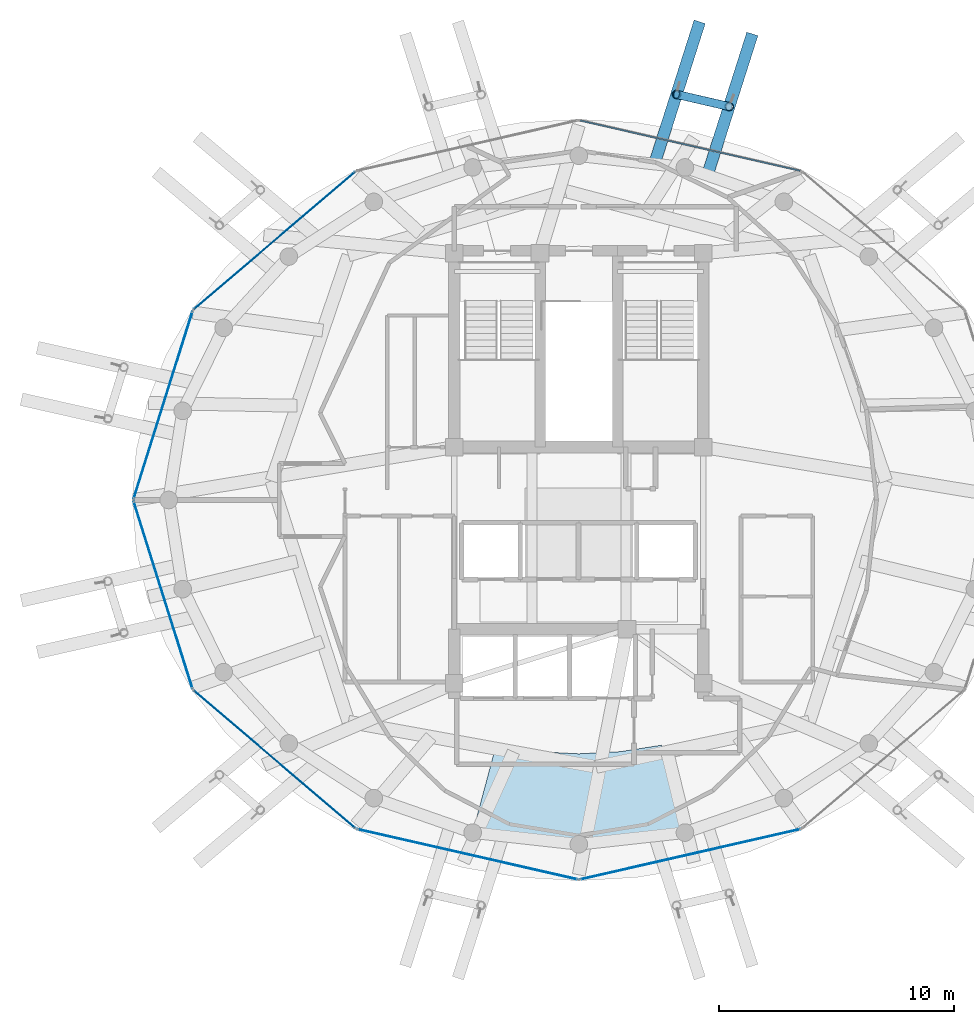
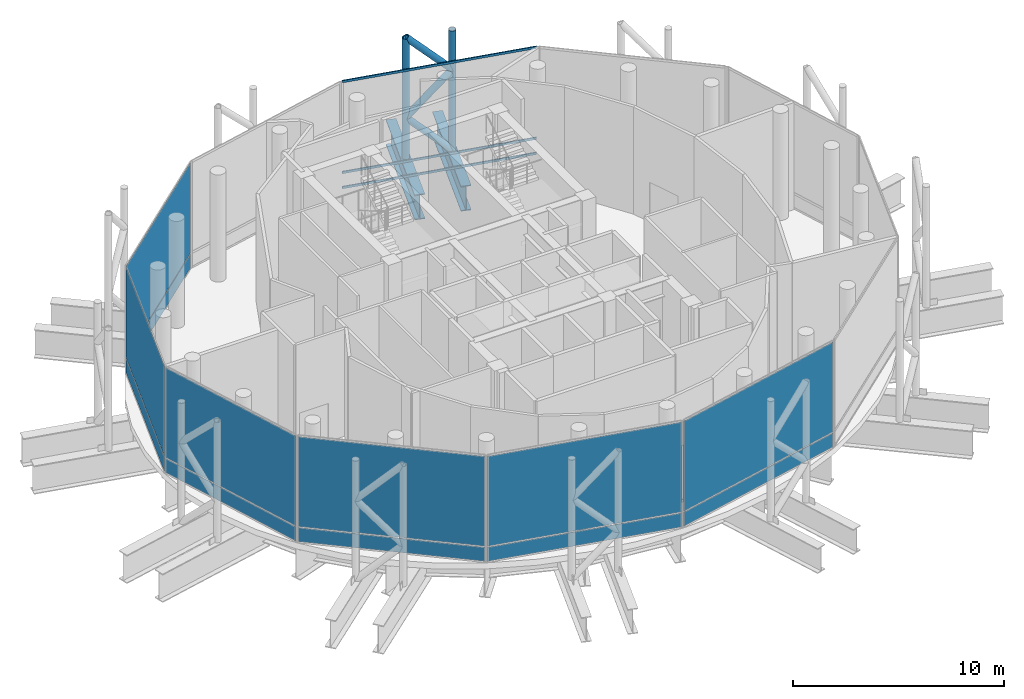
# One storey, part 19 of 26: 12 plates, 8 members, 2 beams, 1 slab, 7 elements without a shape of their own.
"""IFC4 building model written with IfcOpenShell, lengths in metres."""

from ifc_helpers import new_model, si_unit, direction, frame, origin, origin_2d, place, context, subcontext, project, spatial, polyline, rectangle, hollow_rectangle, hollow_circle, i_section, outline, extrude, material, layer, layer_set, material_profile, profile_set, type_object, element, aggregate, save


model = new_model("IFC4")

# Units and contexts
model_context = context("Model", 3, precision=1e-05, world=origin(), true_north=direction((0.0, 1.0)))
body_context = subcontext(model_context, "Body", "Model", "MODEL_VIEW")
ifc_project = project(units=[si_unit("LENGTHUNIT", "METRE"), si_unit("AREAUNIT", "SQUARE_METRE"), si_unit("VOLUMEUNIT", "CUBIC_METRE"), si_unit("PLANEANGLEUNIT", "RADIAN"), si_unit("MASSUNIT", "GRAM", prefix="KILO")], contexts=[model_context])

# Site, building, storey
site_placement = place(None, origin())
site = spatial("IfcSite", under=ifc_project, at=site_placement, CompositionType="ELEMENT")
building_placement = place(site_placement, origin())
building = spatial("IfcBuilding", under=site, at=building_placement, Name="Nuhasar Tower", CompositionType="ELEMENT")
storey_placement = place(building_placement, frame((0.0, 0.0, 306.800048828125)))
storey = spatial("IfcBuildingStorey", under=building, at=storey_placement, Name="L76", CompositionType="ELEMENT", Elevation=306.800048828125)

# Beams
ifc_material_1 = material(Name="Steel S460", Category="steel")
ifc_material_profile_1 = material_profile(ifc_material_1, i_section(OverallWidth=0.5, OverallDepth=1.449951171875, WebThickness=0.028076171875, FlangeThickness=0.050048828125, at=origin_2d()), Name="PG1450X500")
ifc_profile_set_1 = profile_set([ifc_material_profile_1], Name="Steel S460")
beam_type = type_object("IfcBeamType", Name="BM-XFER-PG1450", PredefinedType="USERDEFINED", material=ifc_profile_set_1)
beam_1_placement = place(storey_placement, frame((44.469970703125, 40.618896484375, -1.074951171875), z_axis=(0.303270715851, 0.952904440596, 0.0), x_axis=(-0.952904440596, 0.303270715851, 0.0)))
element("IfcBeam", 1, at=beam_1_placement, inside=storey, type_object=beam_type, Name="L76 Exoskeleton Step Transfer Girder 05", ObjectType="GIRDER", PredefinedType="USERDEFINED", context=body_context, shape_type="SweptSolid", body=[
    extrude(i_section(OverallWidth=0.5, OverallDepth=1.449951171875, WebThickness=0.028076171875, FlangeThickness=0.050048828125, at=origin_2d()), origin(), (0.0, 0.0, 1.0), 6.311279296875),
])
beam_2_placement = place(storey_placement, frame((42.215087890625, 41.094970703125, -1.074951171875), z_axis=(0.30344948656, 0.952847526683, 0.0), x_axis=(-0.952847526683, 0.30344948656, 0.0)))
element("IfcBeam", 2, at=beam_2_placement, inside=storey, type_object=beam_type, Name="L76 Exoskeleton Step Transfer Girder 06", ObjectType="GIRDER", PredefinedType="USERDEFINED", context=body_context, shape_type="SweptSolid", body=[
    extrude(i_section(OverallWidth=0.5, OverallDepth=1.449951171875, WebThickness=0.028076171875, FlangeThickness=0.050048828125, at=origin_2d()), origin(), (0.0, 0.0, 1.0), 6.353515625),
])

# Curtain wall, members
ifc_material_2 = material(Name="Aluminium 6063-T6", Category="aluminium")
ifc_layer_1 = layer(ifc_material_2, 0.239990234375)
ifc_layer_set_1 = layer_set([ifc_layer_1], Name="Aluminium 6063-T6")
curtain_wall_type = type_object("IfcCurtainWallType", Name="CW-SKY-LBY", PredefinedType="NOTDEFINED", material=ifc_layer_set_1)
curtain_wall_1_placement = place(storey_placement, origin())
curtain_wall_1 = element("IfcCurtainWall", 3, at=curtain_wall_1_placement, inside=storey, type_object=curtain_wall_type, Name="L76 Unitised Curtain Wall 03", PredefinedType="NOTDEFINED")
ifc_material_profile_2 = material_profile(ifc_material_2, hollow_rectangle(XDim=0.06005859375, YDim=0.1298828125, WallThickness=0.00439453125, at=origin_2d()), Name="CWT-6")
ifc_profile_set_2 = profile_set([ifc_material_profile_2], Name="Aluminium 6063-T6")
member_type_1 = type_object("IfcMemberType", Name="CW-TRN-S6", PredefinedType="USERDEFINED", material=ifc_profile_set_2)
member_1_placement = place(storey_placement, frame((48.42138671875, 40.808349609375, 0.030029296875), z_axis=(-0.974901087425, 0.222638428257, 0.0), x_axis=(-0.222638428257, -0.974901087425, 0.0)))
member_1 = element("IfcMember", 4, at=member_1_placement, type_object=member_type_1, Name="CW-SL transom 1.1", ObjectType="TRANSOM", PredefinedType="USERDEFINED", context=body_context, shape_type="SweptSolid", body=[
    extrude(hollow_rectangle(XDim=0.06005859375, YDim=0.1298828125, WallThickness=0.00439453125, at=origin_2d()), origin(), (0.0, 0.0, 1.0), 9.603759765625),
])
member_2_placement = place(storey_placement, frame((48.42138671875, 40.808349609375, 0.89990234375), z_axis=(-0.974901087425, 0.222638428257, 0.0), x_axis=(-0.222638428257, -0.974901087425, 0.0)))
member_2 = element("IfcMember", 5, at=member_2_placement, type_object=member_type_1, Name="CW-SL transom 1.2", ObjectType="TRANSOM", PredefinedType="USERDEFINED", context=body_context, shape_type="SweptSolid", body=[
    extrude(hollow_rectangle(XDim=0.06005859375, YDim=0.1298828125, WallThickness=0.00439453125, at=origin_2d()), origin(), (0.0, 0.0, 1.0), 9.603759765625),
])
member_3_placement = place(storey_placement, frame((48.42138671875, 40.808349609375, 6.14990234375), z_axis=(-0.974901087425, 0.222638428257, 0.0), x_axis=(-0.222638428257, -0.974901087425, 0.0)))
member_3 = element("IfcMember", 6, at=member_3_placement, type_object=member_type_1, Name="CW-SL transom 1.3", ObjectType="TRANSOM", PredefinedType="USERDEFINED", context=body_context, shape_type="SweptSolid", body=[
    extrude(hollow_rectangle(XDim=0.06005859375, YDim=0.1298828125, WallThickness=0.00439453125, at=origin_2d()), origin(), (0.0, 0.0, 1.0), 9.603759765625),
])
aggregate(curtain_wall_1, [member_1, member_2, member_3])

# Members
ifc_material_profile_3 = material_profile(ifc_material_1, hollow_circle(Radius=0.177734375, WallThickness=0.015869140625, at=origin_2d()), Name="HSS355.6X15.9")
ifc_profile_set_3 = profile_set([ifc_material_profile_3], Name="Steel S460")
member_type_2 = type_object("IfcMemberType", Name="EXO-BRONZE-356", PredefinedType="BRACE", material=ifc_profile_set_3)
for number, where, z_axis, x_axis, name in (
    (7, (45.39990234375, 43.541015625, -0.35009765625), (0.0, 0.0, 1.0), (1.0, 0.0, 0.0), "L76 Exoskeleton Chord Column EC-03A"),
    (8, (43.158935546875, 44.05908203125, -0.35009765625), (0.0, 0.0, 1.0), (1.0, 0.0, 0.0), "L76 Exoskeleton Chord Column EC-03B"),
):
    element("IfcMember", number, at=place(storey_placement, frame(where, z_axis=z_axis, x_axis=x_axis)), inside=storey, type_object=member_type_2, Name=name, PredefinedType="BRACE", context=body_context, shape_type="SweptSolid", body=[
        extrude(hollow_circle(Radius=0.177734375, WallThickness=0.015869140625, at=origin_2d()), origin(), (0.0, 0.0, 1.0), 6.949951171875),
    ])
member_4_placement = place(storey_placement, frame((45.39990234375, 43.541015625, -0.35009765625), z_axis=(-0.68638516561, 0.158678431357, 0.709715830352), x_axis=(-0.225239345014, -0.974303462715, 0.0)))
element("IfcMember", 9, at=member_4_placement, inside=storey, type_object=member_type_2, Name="L76 Bronze Diagrid Brace W1-03", PredefinedType="BRACE", context=body_context, shape_type="SweptSolid", body=[
    extrude(hollow_circle(Radius=0.177734375, WallThickness=0.015869140625, at=origin_2d()), origin(), (0.0, 0.0, 1.0), 3.264892578125),
])
member_5_placement = place(storey_placement, frame((43.158935546875, 44.05908203125, 1.967041015625), z_axis=(0.686567325751, -0.158720543114, 0.709530194146), x_axis=(0.225239345014, 0.974303462715, 0.0)))
element("IfcMember", 10, at=member_5_placement, inside=storey, type_object=member_type_2, Name="L76 Bronze Diagrid Brace W2-03", PredefinedType="BRACE", context=body_context, shape_type="SweptSolid", body=[
    extrude(hollow_circle(Radius=0.177734375, WallThickness=0.015869140625, at=origin_2d()), origin(), (0.0, 0.0, 1.0), 3.263916015625),
])
member_6_placement = place(storey_placement, frame((45.39990234375, 43.541015625, 4.282958984375), z_axis=(-0.686421593716, 0.158686852802, 0.709678714932), x_axis=(-0.225239345014, -0.974303462715, 0.0)))
element("IfcMember", 11, at=member_6_placement, inside=storey, type_object=member_type_2, Name="L76 Bronze Diagrid Brace W3-03", PredefinedType="BRACE", context=body_context, shape_type="SweptSolid", body=[
    extrude(hollow_circle(Radius=0.177734375, WallThickness=0.015869140625, at=origin_2d()), origin(), (0.0, 0.0, 1.0), 3.2646484375),
])

# Curtain wall, plate
curtain_wall_2_placement = place(storey_placement, origin())
curtain_wall_2 = element("IfcCurtainWall", 12, at=curtain_wall_2_placement, inside=storey, type_object=curtain_wall_type, Name="L76 Unitised Curtain Wall 05", PredefinedType="NOTDEFINED")
ifc_material_3 = material(Name="Glass Double Low-E", Category="glass")
ifc_layer_2 = layer(ifc_material_3, 0.028076171875)
ifc_layer_set_2 = layer_set([ifc_layer_2], Name="Glass Double Low-E")
plate_type_1 = type_object("IfcPlateType", Name="CW-PANEL-GLZ", PredefinedType="CURTAIN_PANEL", material=ifc_layer_set_2)
plate_1_placement = place(storey_placement, frame((26.050048828125, 37.83740234375, 0.929931640625), z_axis=(0.0, 0.0, 1.0), x_axis=(-0.761072779382, -0.648666497118, 0.0)))
plate_1 = element("IfcPlate", 13, at=plate_1_placement, type_object=plate_type_1, Name="CW-SL panel 1.2", PredefinedType="CURTAIN_PANEL", context=body_context, shape_type="SweptSolid", body=[
    extrude(rectangle(XDim=8.998779296875, YDim=0.028076171875, at=origin_2d()), origin(), (0.0, 0.0, 1.0), 5.18994140625),
])

curtain_wall_3_placement = place(storey_placement, origin())
curtain_wall_3 = element("IfcCurtainWall", 14, at=curtain_wall_3_placement, inside=storey, type_object=curtain_wall_type, Name="L76 Unitised Curtain Wall 06", PredefinedType="NOTDEFINED")
plate_2_placement = place(storey_placement, frame((21.31005859375, 30.840087890625, 0.929931640625), z_axis=(0.0, 0.0, 1.0), x_axis=(-0.299887997525, -0.953974417341, 0.0)))
plate_2 = element("IfcPlate", 15, at=plate_2_placement, type_object=plate_type_1, Name="CW-SL panel 1.2", PredefinedType="CURTAIN_PANEL", context=body_context, shape_type="SweptSolid", body=[
    extrude(rectangle(XDim=8.349853515625, YDim=0.028076171875, at=origin_2d()), origin(), (0.0, 0.0, 1.0), 5.18994140625),
])

curtain_wall_4_placement = place(storey_placement, origin())
curtain_wall_4 = element("IfcCurtainWall", 16, at=curtain_wall_4_placement, inside=storey, type_object=curtain_wall_type, Name="L76 Unitised Curtain Wall 07", PredefinedType="NOTDEFINED")
plate_3_placement = place(storey_placement, frame((21.31005859375, 22.760009765625, 0.929931640625), z_axis=(0.0, 0.0, 1.0), x_axis=(0.299887997525, -0.953974417341, 0.0)))
plate_3 = element("IfcPlate", 17, at=plate_3_placement, type_object=plate_type_1, Name="CW-SL panel 1.2", PredefinedType="CURTAIN_PANEL", context=body_context, shape_type="SweptSolid", body=[
    extrude(rectangle(XDim=8.349853515625, YDim=0.028076171875, at=origin_2d()), origin(), (0.0, 0.0, 1.0), 5.18994140625),
])

curtain_wall_5_placement = place(storey_placement, origin())
curtain_wall_5 = element("IfcCurtainWall", 18, at=curtain_wall_5_placement, inside=storey, type_object=curtain_wall_type, Name="L76 Unitised Curtain Wall 08", PredefinedType="NOTDEFINED")
plate_4_placement = place(storey_placement, frame((26.050048828125, 15.762451171875, 0.929931640625), z_axis=(0.0, 0.0, 1.0), x_axis=(0.761072779382, -0.648666497118, 0.0)))
plate_4 = element("IfcPlate", 19, at=plate_4_placement, type_object=plate_type_1, Name="CW-SL panel 1.2", PredefinedType="CURTAIN_PANEL", context=body_context, shape_type="SweptSolid", body=[
    extrude(rectangle(XDim=8.998779296875, YDim=0.028076171875, at=origin_2d()), origin(), (0.0, 0.0, 1.0), 5.18994140625),
])

curtain_wall_6_placement = place(storey_placement, origin())
curtain_wall_6 = element("IfcCurtainWall", 20, at=curtain_wall_6_placement, inside=storey, type_object=curtain_wall_type, Name="L76 Unitised Curtain Wall 09", PredefinedType="NOTDEFINED")
plate_5_placement = place(storey_placement, frame((34.260009765625, 11.722412109375, 0.929931640625), z_axis=(0.0, 0.0, 1.0), x_axis=(0.974899975731, -0.222643296147, 0.0)))
plate_5 = element("IfcPlate", 21, at=plate_5_placement, type_object=plate_type_1, Name="CW-SL panel 1.2", PredefinedType="CURTAIN_PANEL", context=body_context, shape_type="SweptSolid", body=[
    extrude(rectangle(XDim=9.60400390625, YDim=0.028076171875, at=origin_2d()), origin(), (0.0, 0.0, 1.0), 5.18994140625),
])

curtain_wall_7_placement = place(storey_placement, origin())
curtain_wall_7 = element("IfcCurtainWall", 22, at=curtain_wall_7_placement, inside=storey, type_object=curtain_wall_type, Name="L76 Unitised Curtain Wall 10", PredefinedType="NOTDEFINED")
plate_6_placement = place(storey_placement, frame((43.739990234375, 11.722412109375, 0.929931640625), z_axis=(0.0, 0.0, 1.0), x_axis=(0.974899975731, 0.222643296147, 0.0)))
plate_6 = element("IfcPlate", 23, at=plate_6_placement, type_object=plate_type_1, Name="CW-SL panel 1.2", PredefinedType="CURTAIN_PANEL", context=body_context, shape_type="SweptSolid", body=[
    extrude(rectangle(XDim=9.60400390625, YDim=0.028076171875, at=origin_2d()), origin(), (0.0, 0.0, 1.0), 5.18994140625),
])

# Plate
ifc_material_4 = material(Name="Glass Spandrel", Category="glass")
ifc_layer_3 = layer(ifc_material_4, 0.035888671875)
ifc_layer_set_3 = layer_set([ifc_layer_3], Name="Glass Spandrel")
plate_type_2 = type_object("IfcPlateType", Name="CW-PANEL-SPN", PredefinedType="CURTAIN_PANEL", material=ifc_layer_set_3)
plate_7_placement = place(storey_placement, frame((26.050048828125, 37.83740234375, 0.059814453125), z_axis=(0.0, 0.0, 1.0), x_axis=(-0.761072779382, -0.648666497118, 0.0)))
plate_7 = element("IfcPlate", 24, at=plate_7_placement, type_object=plate_type_2, Name="CW-SL panel 1.1", PredefinedType="CURTAIN_PANEL", context=body_context, shape_type="SweptSolid", body=[
    extrude(rectangle(XDim=8.998779296875, YDim=0.035888671875, at=origin_2d()), origin(), (0.0, 0.0, 1.0), 0.81005859375),
])

aggregate(curtain_wall_2, [plate_7, plate_1])

plate_8_placement = place(storey_placement, frame((21.31005859375, 30.840087890625, 0.059814453125), z_axis=(0.0, 0.0, 1.0), x_axis=(-0.299887997525, -0.953974417341, 0.0)))
plate_8 = element("IfcPlate", 25, at=plate_8_placement, type_object=plate_type_2, Name="CW-SL panel 1.1", PredefinedType="CURTAIN_PANEL", context=body_context, shape_type="SweptSolid", body=[
    extrude(rectangle(XDim=8.349853515625, YDim=0.035888671875, at=origin_2d()), origin(), (0.0, 0.0, 1.0), 0.81005859375),
])

aggregate(curtain_wall_3, [plate_8, plate_2])

plate_9_placement = place(storey_placement, frame((21.31005859375, 22.760009765625, 0.059814453125), z_axis=(0.0, 0.0, 1.0), x_axis=(0.299887997525, -0.953974417341, 0.0)))
plate_9 = element("IfcPlate", 26, at=plate_9_placement, type_object=plate_type_2, Name="CW-SL panel 1.1", PredefinedType="CURTAIN_PANEL", context=body_context, shape_type="SweptSolid", body=[
    extrude(rectangle(XDim=8.349853515625, YDim=0.035888671875, at=origin_2d()), origin(), (0.0, 0.0, 1.0), 0.81005859375),
])

aggregate(curtain_wall_4, [plate_9, plate_3])

plate_10_placement = place(storey_placement, frame((26.050048828125, 15.762451171875, 0.059814453125), z_axis=(0.0, 0.0, 1.0), x_axis=(0.761072779382, -0.648666497118, 0.0)))
plate_10 = element("IfcPlate", 27, at=plate_10_placement, type_object=plate_type_2, Name="CW-SL panel 1.1", PredefinedType="CURTAIN_PANEL", context=body_context, shape_type="SweptSolid", body=[
    extrude(rectangle(XDim=8.998779296875, YDim=0.035888671875, at=origin_2d()), origin(), (0.0, 0.0, 1.0), 0.81005859375),
])

aggregate(curtain_wall_5, [plate_10, plate_4])

plate_11_placement = place(storey_placement, frame((34.260009765625, 11.722412109375, 0.059814453125), z_axis=(0.0, 0.0, 1.0), x_axis=(0.974899975731, -0.222643296147, 0.0)))
plate_11 = element("IfcPlate", 28, at=plate_11_placement, type_object=plate_type_2, Name="CW-SL panel 1.1", PredefinedType="CURTAIN_PANEL", context=body_context, shape_type="SweptSolid", body=[
    extrude(rectangle(XDim=9.60400390625, YDim=0.035888671875, at=origin_2d()), origin(), (0.0, 0.0, 1.0), 0.81005859375),
])

aggregate(curtain_wall_6, [plate_11, plate_5])

plate_12_placement = place(storey_placement, frame((43.739990234375, 11.722412109375, 0.059814453125), z_axis=(0.0, 0.0, 1.0), x_axis=(0.974899975731, 0.222643296147, 0.0)))
plate_12 = element("IfcPlate", 29, at=plate_12_placement, type_object=plate_type_2, Name="CW-SL panel 1.1", PredefinedType="CURTAIN_PANEL", context=body_context, shape_type="SweptSolid", body=[
    extrude(rectangle(XDim=9.60400390625, YDim=0.035888671875, at=origin_2d()), origin(), (0.0, 0.0, 1.0), 0.81005859375),
])

aggregate(curtain_wall_7, [plate_12, plate_6])

# Slab
ifc_material_5 = material(Name="Concrete C50/60", Category="concrete")
ifc_layer_4 = layer(ifc_material_5, 0.199951171875)
ifc_layer_set_4 = layer_set([ifc_layer_4], Name="Concrete C50/60")
slab_type = type_object("IfcSlabType", Name="SLB-PLN-200", PredefinedType="BASESLAB", material=ifc_layer_set_4)
slab_placement = place(storey_placement, origin())
element("IfcSlab", 30, at=slab_placement, inside=storey, type_object=slab_type, Name="L76 Viewing Feature Dais Slab South", PredefinedType="BASESLAB", context=body_context, shape_type="SweptSolid", body=[
    extrude(outline(polyline([(34.548095703125, 12.89111328125), (36.7548828125, 12.52294921875), (39.0, 12.39990234375), (41.2451171875, 12.52294921875), (43.451904296875, 12.89111328125), (42.52001953125, 16.367919921875), (40.77490234375, 16.092041015625), (39.0, 16.0), (37.22509765625, 16.092041015625), (35.47998046875, 16.367919921875), (34.548095703125, 12.89111328125)])), origin(), (0.0, 0.0, 1.0), 0.179931640625),
])

save(model, "model.ifc")
